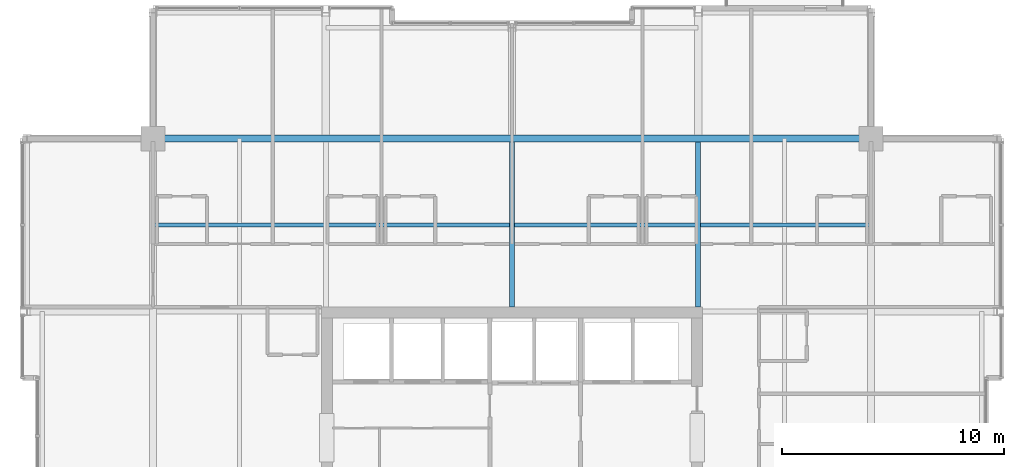
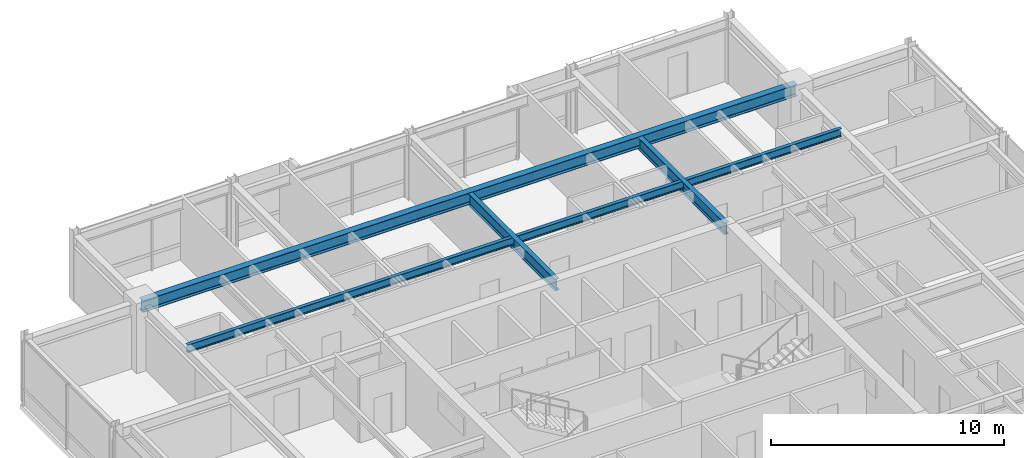
# One storey, part 23 of 34: 4 beams.
"""IFC4 building model written with IfcOpenShell, lengths in metres."""

from ifc_helpers import new_model, si_unit, direction, frame, origin, origin_2d, place, context, subcontext, project, spatial, i_section, extrude, material, material_profile, profile_set, type_object, element, save


model = new_model("IFC4")

# Units and contexts
model_context = context("Model", 3, precision=1e-05, world=origin(), true_north=direction((0.0, 1.0)))
body_context = subcontext(model_context, "Body", "Model", "MODEL_VIEW")
ifc_project = project(units=[si_unit("LENGTHUNIT", "METRE"), si_unit("AREAUNIT", "SQUARE_METRE"), si_unit("VOLUMEUNIT", "CUBIC_METRE"), si_unit("PLANEANGLEUNIT", "RADIAN"), si_unit("MASSUNIT", "GRAM", prefix="KILO")], contexts=[model_context])

# Site, building, storey
site_placement = place(None, origin())
site = spatial("IfcSite", under=ifc_project, at=site_placement, CompositionType="ELEMENT")
building_placement = place(site_placement, origin())
building = spatial("IfcBuilding", under=site, at=building_placement, Name="Drelvath Grand Hotel", CompositionType="ELEMENT")
storey_placement = place(building_placement, frame((0.0, 0.0, 272.300048828125)))
storey = spatial("IfcBuildingStorey", under=building, at=storey_placement, Name="L71", CompositionType="ELEMENT", Elevation=272.300048828125)

# Beams
ifc_material = material(Name="Steel ASTM A992 Gr 50", Category="steel")
ifc_material_profile_1 = material_profile(ifc_material, i_section(OverallWidth=0.177734375, OverallDepth=0.40673828125, WebThickness=0.0078125, FlangeThickness=0.0126953125, FilletRadius=0.014892578125, at=origin_2d()), Name="W16X40")
ifc_profile_set_1 = profile_set([ifc_material_profile_1], Name="Steel ASTM A992 Gr 50")
beam_type_1 = type_object("IfcBeamType", Name="Composite Floor Joist W16X40", PredefinedType="JOIST", material=ifc_profile_set_1)
beam_1_placement = place(storey_placement, frame((-16.199951171875, 39.300048828125, 3.1865234375), z_axis=(1.0, 0.0, 0.0), x_axis=(0.0, 1.0, 0.0)))
element("IfcBeam", 1, at=beam_1_placement, inside=storey, type_object=beam_type_1, Name="L71 Floor Joist J2", PredefinedType="JOIST", context=body_context, shape_type="SweptSolid", body=[
    extrude(i_section(OverallWidth=0.177734375, OverallDepth=0.40673828125, WebThickness=0.0078125, FlangeThickness=0.0126953125, FilletRadius=0.014892578125, at=origin_2d()), origin(), (0.0, 0.0, 1.0), 32.39990234375),
])
ifc_material_profile_2 = material_profile(ifc_material, i_section(OverallWidth=0.323974609375, OverallDepth=0.611083984375, WebThickness=0.0126953125, FlangeThickness=0.01904296875, FilletRadius=0.02197265625, at=origin_2d()), Name="W24X104")
ifc_profile_set_2 = profile_set([ifc_material_profile_2], Name="Steel ASTM A992 Gr 50")
beam_type_2 = type_object("IfcBeamType", Name="Primary Floor Girder W24X104", PredefinedType="BEAM", material=ifc_profile_set_2)
beam_2_placement = place(storey_placement, frame((-16.199951171875, 43.199951171875, 3.08447265625), z_axis=(1.0, 0.0, 0.0), x_axis=(0.0, 1.0, 0.0)))
element("IfcBeam", 2, at=beam_2_placement, inside=storey, type_object=beam_type_2, Name="L71 Mega Ring Girder North", PredefinedType="BEAM", context=body_context, shape_type="SweptSolid", body=[
    extrude(i_section(OverallWidth=0.323974609375, OverallDepth=0.611083984375, WebThickness=0.0126953125, FlangeThickness=0.01904296875, FilletRadius=0.02197265625, at=origin_2d()), origin(), (0.0, 0.0, 1.0), 32.39990234375),
])
ifc_material_profile_3 = material_profile(ifc_material, i_section(OverallWidth=0.228271484375, OverallDepth=0.607666015625, WebThickness=0.01123046875, FlangeThickness=0.017333984375, FilletRadius=0.02001953125, at=origin_2d()), Name="W24X76")
ifc_profile_set_3 = profile_set([ifc_material_profile_3], Name="Steel ASTM A992 Gr 50")
beam_type_3 = type_object("IfcBeamType", Name="Primary Floor Girder W24X76", PredefinedType="BEAM", material=ifc_profile_set_3)
for number, where, z_axis, x_axis, name in (
    (3, (0.0, 35.60009765625, 3.086181640625), (0.0, 1.0, 0.0), (-1.0, 0.0, 0.0), "L71 North Core Tie 5"),
    (4, (8.39990234375, 35.60009765625, 3.086181640625), (0.0, 1.0, 0.0), (-1.0, 0.0, 0.0), "L71 North Core Tie 6"),
):
    element("IfcBeam", number, at=place(storey_placement, frame(where, z_axis=z_axis, x_axis=x_axis)), inside=storey, type_object=beam_type_3, Name=name, PredefinedType="BEAM", context=body_context, shape_type="SweptSolid", body=[
        extrude(i_section(OverallWidth=0.228271484375, OverallDepth=0.607666015625, WebThickness=0.01123046875, FlangeThickness=0.017333984375, FilletRadius=0.02001953125, at=origin_2d()), origin(), (0.0, 0.0, 1.0), 7.43798828125),
    ])

save(model, "model.ifc")
